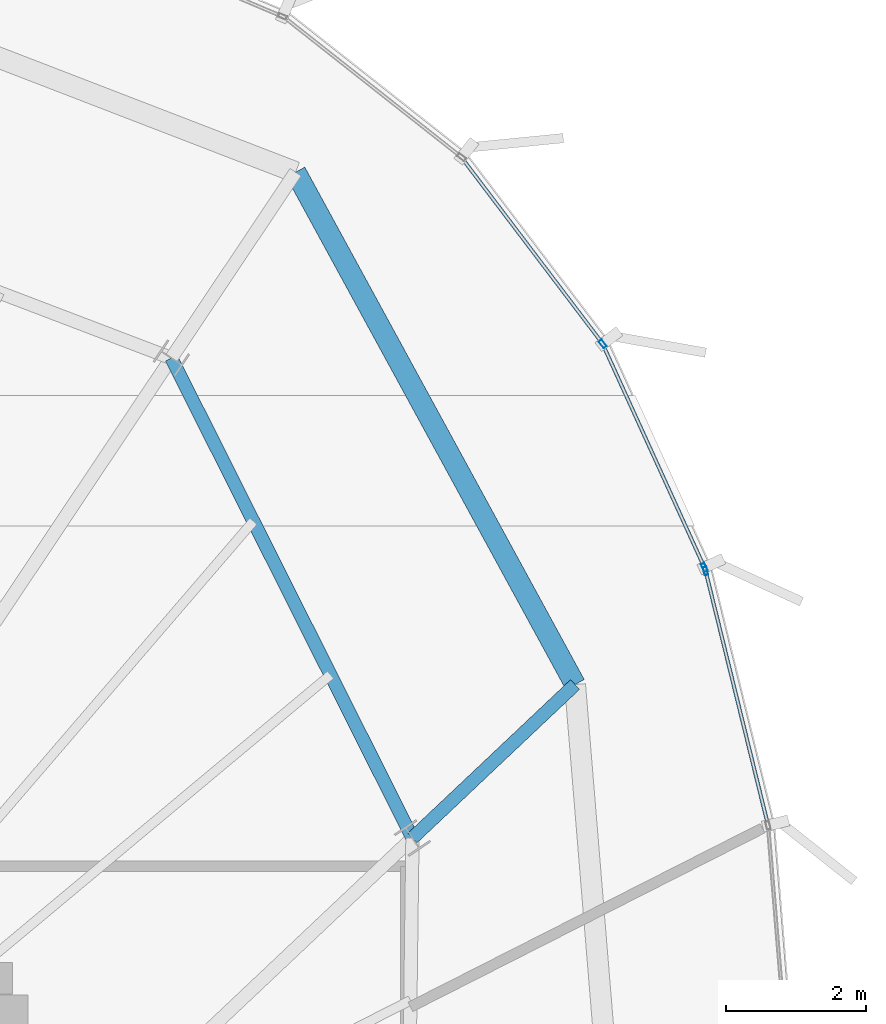
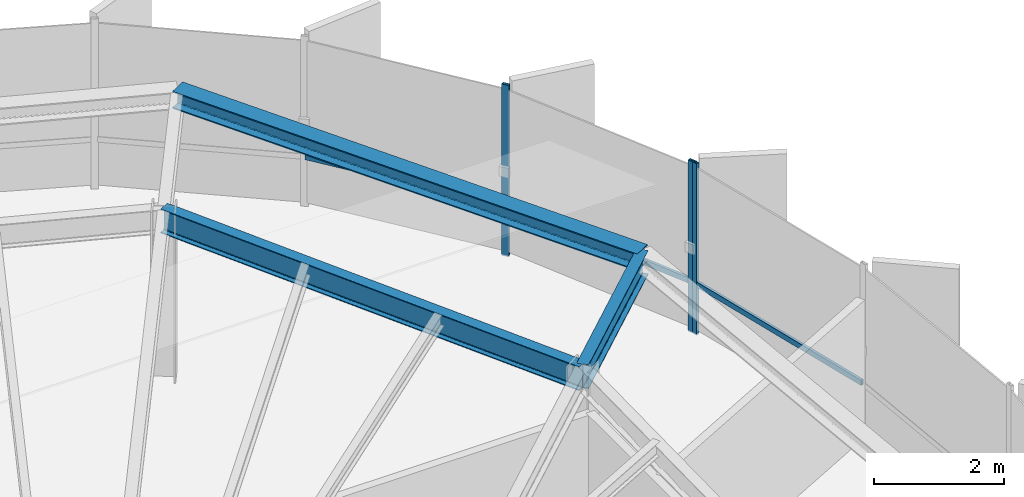
# One storey, part 23 of 32: 6 members, 3 beams, 2 elements without a shape of their own.
"""IFC4 building model written with IfcOpenShell, lengths in metres."""

from ifc_helpers import new_model, si_unit, direction, frame, origin, origin_2d, place, context, subcontext, project, spatial, hollow_rectangle, i_section, extrude, source, transform, mapped, material, layer, layer_set, material_profile, profile_set, type_object, element, aggregate, save


model = new_model("IFC4")

# Units and contexts
model_context = context("Model", 3, precision=1e-05, world=origin(), true_north=direction((0.0, 1.0)))
body_context = subcontext(model_context, "Body", "Model", "MODEL_VIEW")
ifc_project = project(units=[si_unit("LENGTHUNIT", "METRE"), si_unit("AREAUNIT", "SQUARE_METRE"), si_unit("VOLUMEUNIT", "CUBIC_METRE"), si_unit("PLANEANGLEUNIT", "RADIAN"), si_unit("MASSUNIT", "GRAM", prefix="KILO"), si_unit("THERMODYNAMICTEMPERATUREUNIT", "KELVIN")], contexts=[model_context])

# Site, building, storey
site_placement = place(None, origin())
site = spatial("IfcSite", under=ifc_project, at=site_placement, CompositionType="ELEMENT")
building_placement = place(site_placement, origin())
building = spatial("IfcBuilding", under=site, at=building_placement, Name="Kethvar Cultural Tower", CompositionType="ELEMENT")
storey_placement = place(building_placement, frame((0.0, 0.0, 273.25)))
storey = spatial("IfcBuildingStorey", under=building, at=storey_placement, Name="L72", CompositionType="ELEMENT", Elevation=273.25)

# Beams
ifc_material_1 = material(Name="Steel S355J2", Category="steel")
ifc_material_profile_1 = material_profile(ifc_material_1, i_section(OverallWidth=0.18994140625, OverallDepth=0.449951171875, WebThickness=0.009521484375, FlangeThickness=0.0146484375, FilletRadius=0.02099609375, at=origin_2d()), Name="Steel S355J2 — IPE450")
ifc_profile_set_1 = profile_set([ifc_material_profile_1], Name="Steel S355J2 — IPE450")
beam_type_1 = type_object("IfcBeamType", Name="BM-IPE450", PredefinedType="BEAM", material=ifc_profile_set_1)
shared_shape_1 = source(origin(), body_context, "Body", "SweptSolid", [
    extrude(i_section(OverallWidth=0.18994140625, OverallDepth=0.449951171875, WebThickness=0.009521484375, FlangeThickness=0.0146484375, FilletRadius=0.02099609375, at=origin_2d()), origin(), (0.0, 0.0, 1.0), 3.199951171875),
])
beam_1_placement = place(storey_placement, frame((61.32568359375, 37.505859375, 2.98291015625), z_axis=(0.727146433404, 0.686482384616, 0.0), x_axis=(-0.686482384616, 0.727146433404, 0.0)))
element("IfcBeam", 1, at=beam_1_placement, inside=storey, type_object=beam_type_1, Name="L72 Perimeter Cantilever Beam RC-02", PredefinedType="BEAM", context=body_context, shape_type="MappedRepresentation", body=[
    mapped(shared_shape_1, transform((0.0, 0.0, 0.0), scale=1.0)),
])
shared_shape_2 = source(origin(), body_context, "Body", "SweptSolid", [
    extrude(i_section(OverallWidth=0.18994140625, OverallDepth=0.449951171875, WebThickness=0.009521484375, FlangeThickness=0.0146484375, FilletRadius=0.02099609375, at=origin_2d()), origin(), (0.0, 0.0, 1.0), 7.68701171875),
])
beam_2_placement = place(storey_placement, frame((61.32568359375, 37.505859375, 2.98291015625), z_axis=(-0.448864354142, 0.893599905763, 0.0), x_axis=(-0.893599905763, -0.448864354142, 0.0)))
element("IfcBeam", 2, at=beam_2_placement, inside=storey, type_object=beam_type_1, Name="L72 Column Ring Tie Beam CR-02", PredefinedType="BEAM", context=body_context, shape_type="MappedRepresentation", body=[
    mapped(shared_shape_2, transform((0.0, 0.0, 0.0), scale=1.0)),
])
ifc_material_profile_2 = material_profile(ifc_material_1, i_section(OverallWidth=0.300048828125, OverallDepth=0.320068359375, WebThickness=0.011474609375, FlangeThickness=0.0205078125, FilletRadius=0.027099609375, at=origin_2d()), Name="Steel S355J2 — HEB320")
ifc_profile_set_2 = profile_set([ifc_material_profile_2], Name="Steel S355J2 — HEB320")
beam_type_2 = type_object("IfcBeamType", Name="BM-SP320", PredefinedType="SPANDREL", material=ifc_profile_set_2)
shared_shape_3 = source(origin(), body_context, "Body", "SweptSolid", [
    extrude(i_section(OverallWidth=0.300048828125, OverallDepth=0.320068359375, WebThickness=0.011474609375, FlangeThickness=0.0205078125, FilletRadius=0.027099609375, at=origin_2d()), origin(), (0.0, 0.0, 1.0), 8.35302734375),
])
beam_3_placement = place(storey_placement, frame((63.652587890625, 39.70263671875, 3.048095703125), z_axis=(-0.478811173891, 0.877917911742, 0.0), x_axis=(-0.877917911742, -0.478811173891, 0.0)))
element("IfcBeam", 3, at=beam_3_placement, inside=storey, type_object=beam_type_2, Name="L72 Perimeter Spandrel Beam SP-02", PredefinedType="SPANDREL", context=body_context, shape_type="MappedRepresentation", body=[
    mapped(shared_shape_3, transform((0.0, 0.0, 0.0), scale=1.0)),
])

# Curtain wall, member
ifc_material_2 = material(Name="Aluminium 6063-T6", Category="aluminium")
ifc_layer = layer(ifc_material_2, 0.179931640625, Name="Aluminium 6063-T6", Category="aluminium")
ifc_layer_set = layer_set([ifc_layer], Name="Aluminium 6063-T6 (180 mm)")
curtain_wall_type = type_object("IfcCurtainWallType", Name="CW-SYS-05-Z56", PredefinedType="NOTDEFINED", material=ifc_layer_set)
curtain_wall_1_placement = place(storey_placement, origin())
curtain_wall_1 = element("IfcCurtainWall", 4, at=curtain_wall_1_placement, inside=storey, type_object=curtain_wall_type, Name="L72 Curtain Wall Run 06", PredefinedType="NOTDEFINED")
ifc_material_profile_3 = material_profile(ifc_material_2, hollow_rectangle(XDim=0.054931640625, YDim=0.1201171875, WallThickness=0.00390625, at=origin_2d()), Name="Aluminium 6063-T6 — RHS120x55x4")
ifc_profile_set_3 = profile_set([ifc_material_profile_3], Name="Aluminium 6063-T6 — RHS120x55x4")
member_type_1 = type_object("IfcMemberType", Name="CW-SYS-05-Z56-MUL", PredefinedType="MULLION", material=ifc_profile_set_3)
shared_shape_4 = source(origin(), body_context, "Body", "SweptSolid", [
    extrude(hollow_rectangle(XDim=0.054931640625, YDim=0.1201171875, WallThickness=0.00390625, at=origin_2d()), origin(), (0.0, 0.0, 1.0), 3.2099609375),
])
member_1_placement = place(storey_placement, frame((65.521240234375, 41.328369140625, 0.0), z_axis=(0.0, 0.0, 1.0), x_axis=(-0.971138442956, -0.238516508052, 0.0)))
member_1 = element("IfcMember", 5, at=member_1_placement, type_object=member_type_1, Name="CW-L72-R06 Mullion 7", PredefinedType="MULLION", context=body_context, shape_type="MappedRepresentation", body=[
    mapped(shared_shape_4, transform((0.0, 0.0, 0.0), scale=1.0)),
])

# Curtain wall, members
curtain_wall_2_placement = place(storey_placement, origin())
curtain_wall_2 = element("IfcCurtainWall", 6, at=curtain_wall_2_placement, inside=storey, type_object=curtain_wall_type, Name="L72 Curtain Wall Run 07", PredefinedType="NOTDEFINED")
member_2_placement = place(storey_placement, frame((65.50390625, 41.3779296875, 0.0), z_axis=(0.0, 0.0, 1.0), x_axis=(-0.91013489734, -0.414312042601, 0.0)))
member_2 = element("IfcMember", 7, at=member_2_placement, type_object=member_type_1, Name="CW-L72-R07 Mullion 1", PredefinedType="MULLION", context=body_context, shape_type="MappedRepresentation", body=[
    mapped(shared_shape_4, transform((0.0, 0.0, 0.0), scale=1.0)),
])
member_3_placement = place(storey_placement, frame((64.04931640625, 44.5791015625, 0.0), z_axis=(0.0, 0.0, 1.0), x_axis=(-0.796835831093, -0.604195877415, 0.0)))
member_3 = element("IfcMember", 8, at=member_3_placement, type_object=member_type_1, Name="CW-L72-R07 Mullion 2", PredefinedType="MULLION", context=body_context, shape_type="MappedRepresentation", body=[
    mapped(shared_shape_4, transform((0.0, 0.0, 0.0), scale=1.0)),
])

# Member
ifc_material_profile_4 = material_profile(ifc_material_2, hollow_rectangle(XDim=0.050048828125, YDim=0.10009765625, WallThickness=0.00390625, at=origin_2d()), Name="Aluminium 6063-T6 — RHS100x50x4")
ifc_profile_set_4 = profile_set([ifc_material_profile_4], Name="Aluminium 6063-T6 — RHS100x50x4")
member_type_2 = type_object("IfcMemberType", Name="CW-SYS-05-Z56-TRN", PredefinedType="USERDEFINED", material=ifc_profile_set_4)
shared_shape_5 = source(origin(), body_context, "Body", "SweptSolid", [
    extrude(hollow_rectangle(XDim=0.050048828125, YDim=0.10009765625, WallThickness=0.00390625, at=origin_2d()), origin(), (0.0, 0.0, 1.0), 3.706298828125),
])
member_4_placement = place(storey_placement, frame((66.406005859375, 37.725341796875, 0.949951171875), z_axis=(-0.238457160796, 0.971153017019, 0.0), x_axis=(-0.971153017019, -0.238457160796, 0.0)))
member_4 = element("IfcMember", 9, at=member_4_placement, type_object=member_type_2, Name="CW-L72-R06 Transom 6", ObjectType="TRANSOM", PredefinedType="USERDEFINED", context=body_context, shape_type="MappedRepresentation", body=[
    mapped(shared_shape_5, transform((0.0, 0.0, 0.0), scale=1.0)),
])

aggregate(curtain_wall_1, [member_1, member_4])

shared_shape_6 = source(origin(), body_context, "Body", "SweptSolid", [
    extrude(hollow_rectangle(XDim=0.050048828125, YDim=0.10009765625, WallThickness=0.00390625, at=origin_2d()), origin(), (0.0, 0.0, 1.0), 3.49462890625),
])
member_5_placement = place(storey_placement, frame((65.50244140625, 41.381591796875, 0.949951171875), z_axis=(-0.414360818087, 0.910112692162, 0.0), x_axis=(-0.910112692162, -0.414360818087, 0.0)))
member_5 = element("IfcMember", 10, at=member_5_placement, type_object=member_type_2, Name="CW-L72-R07 Transom 1", ObjectType="TRANSOM", PredefinedType="USERDEFINED", context=body_context, shape_type="MappedRepresentation", body=[
    mapped(shared_shape_6, transform((0.0, 0.0, 0.0), scale=1.0)),
])

shared_shape_7 = source(origin(), body_context, "Body", "SweptSolid", [
    extrude(hollow_rectangle(XDim=0.050048828125, YDim=0.10009765625, WallThickness=0.00390625, at=origin_2d()), origin(), (0.0, 0.0, 1.0), 3.29443359375),
])
member_6_placement = place(storey_placement, frame((64.025390625, 44.610595703125, 0.949951171875), z_axis=(-0.604177233043, 0.796849967731, 0.0), x_axis=(-0.796849967731, -0.604177233043, 0.0)))
member_6 = element("IfcMember", 11, at=member_6_placement, type_object=member_type_2, Name="CW-L72-R07 Transom 2", ObjectType="TRANSOM", PredefinedType="USERDEFINED", context=body_context, shape_type="MappedRepresentation", body=[
    mapped(shared_shape_7, transform((0.0, 0.0, 0.0), scale=1.0)),
])

aggregate(curtain_wall_2, [member_2, member_3, member_5, member_6])

save(model, "model.ifc")
